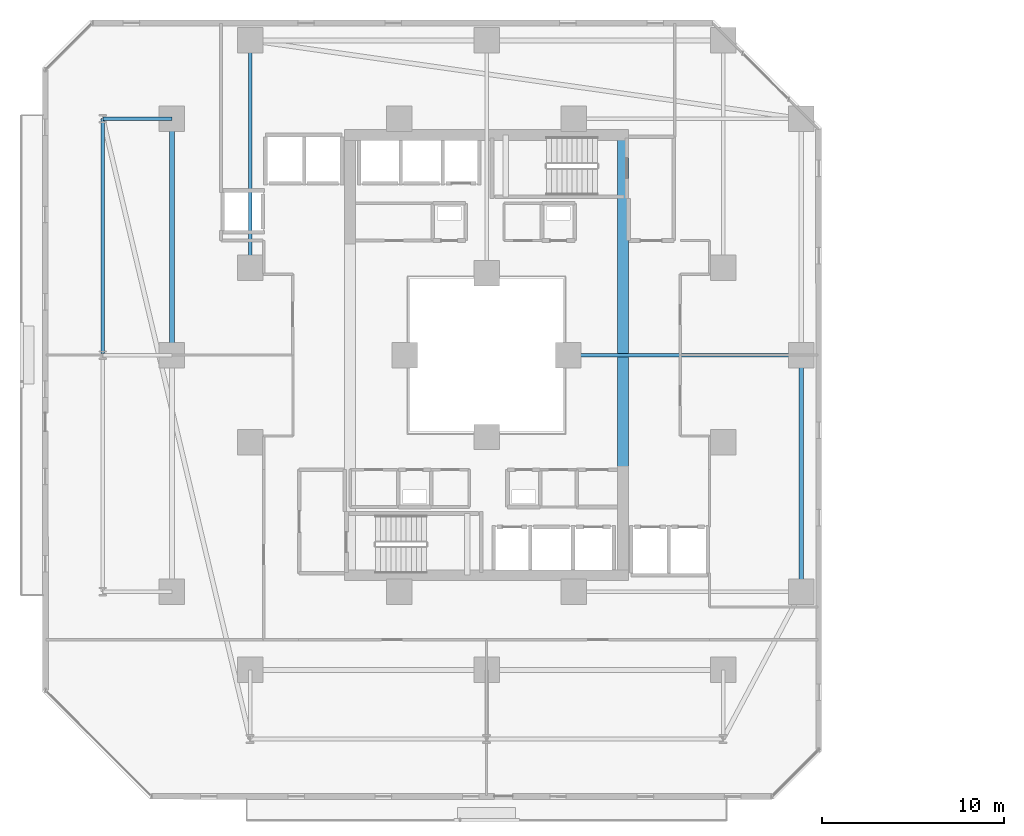
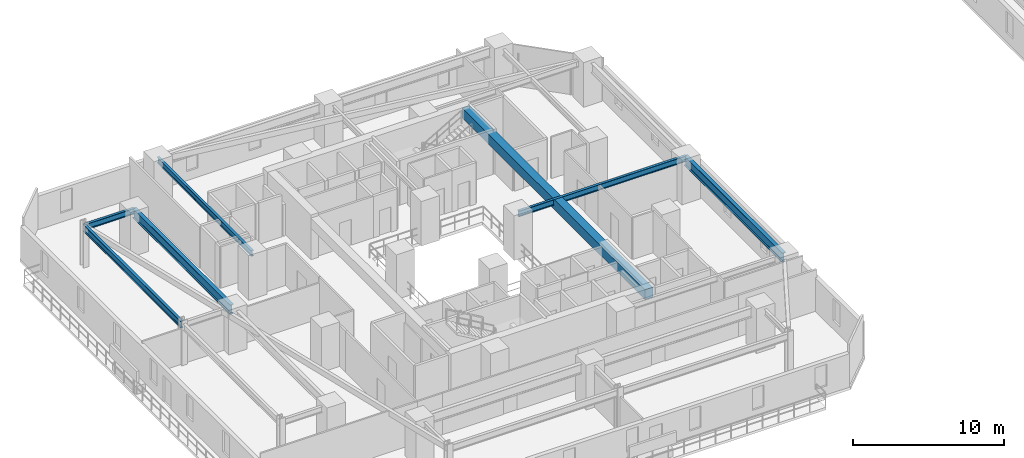
# One storey, part 6 of 33: 7 beams.
"""IFC4 building model written with IfcOpenShell, lengths in metres."""

from ifc_helpers import new_model, si_unit, direction, frame, origin, origin_2d, place, context, subcontext, project, spatial, rectangle, i_section, extrude, material, material_profile, profile_set, type_object, element, save


model = new_model("IFC4")

# Units and contexts
model_context = context("Model", 3, precision=1e-05, world=origin(), true_north=direction((0.0, 1.0)))
body_context = subcontext(model_context, "Body", "Model", "MODEL_VIEW")
ifc_project = project(units=[si_unit("LENGTHUNIT", "METRE"), si_unit("AREAUNIT", "SQUARE_METRE"), si_unit("VOLUMEUNIT", "CUBIC_METRE"), si_unit("PLANEANGLEUNIT", "RADIAN"), si_unit("MASSUNIT", "GRAM", prefix="KILO")], contexts=[model_context])

# Site, building, storey
site_placement = place(None, origin())
site = spatial("IfcSite", under=ifc_project, at=site_placement, CompositionType="ELEMENT")
building_placement = place(site_placement, origin())
building = spatial("IfcBuilding", under=site, at=building_placement, Name="Thornwick Lancets Civic Towers", CompositionType="ELEMENT")
storey_placement = place(building_placement, frame((0.0, 0.0, 31.5)))
storey = spatial("IfcBuildingStorey", under=building, at=storey_placement, Name="L07", CompositionType="ELEMENT", Elevation=31.5)

# Beams
ifc_material_1 = material(Name="Concrete C60/75", Category="concrete")
ifc_material_profile_1 = material_profile(ifc_material_1, rectangle(XDim=0.60009765625, YDim=0.800048828125, at=origin_2d()), Name="RC 600x800")
ifc_profile_set_1 = profile_set([ifc_material_profile_1], Name="Concrete C60/75")
beam_type_1 = type_object("IfcBeamType", Name="BM_COUP_RC800", PredefinedType="BEAM", material=ifc_profile_set_1)
beam_1_placement = place(storey_placement, frame((33.0, 14.89990234375, 2.9599609375), z_axis=(0.0, 1.0, 0.0), x_axis=(-1.0, 0.0, 0.0)))
element("IfcBeam", 1, at=beam_1_placement, inside=storey, type_object=beam_type_1, Name="CB-L07-A1", PredefinedType="BEAM", context=body_context, shape_type="SweptSolid", body=[
    extrude(rectangle(XDim=0.60009765625, YDim=0.800048828125, at=origin_2d()), origin(), (0.0, 0.0, 1.0), 24.2001953125),
])
ifc_material_2 = material(Name="Steel S355JR", Category="steel")
ifc_material_profile_2 = material_profile(ifc_material_2, i_section(OverallWidth=0.2119140625, OverallDepth=0.54443359375, WebThickness=0.0126953125, FlangeThickness=0.021240234375, FilletRadius=0.0126953125, at=origin_2d()), Name="UKB 533x210x122")
ifc_profile_set_2 = profile_set([ifc_material_profile_2], Name="Steel S355JR")
beam_type_2 = type_object("IfcBeamType", Name="BM_EDGE_533_122", PredefinedType="SPANDREL", material=ifc_profile_set_2)
beam_2_placement = place(storey_placement, frame((4.39990234375, 27.080078125, 3.087646484375), z_axis=(0.0, 1.0, 0.0), x_axis=(-1.0, 0.0, 0.0)))
element("IfcBeam", 2, at=beam_2_placement, inside=storey, type_object=beam_type_2, Name="BM-EDGE-L07-A-S3-2", PredefinedType="SPANDREL", context=body_context, shape_type="SweptSolid", body=[
    extrude(i_section(OverallWidth=0.2119140625, OverallDepth=0.54443359375, WebThickness=0.0126953125, FlangeThickness=0.021240234375, FilletRadius=0.0126953125, at=origin_2d()), origin(), (0.0, 0.0, 1.0), 12.919921875),
])
ifc_material_profile_3 = material_profile(ifc_material_2, i_section(OverallWidth=0.26806640625, OverallDepth=0.769775390625, WebThickness=0.015625, FlangeThickness=0.025390625, FilletRadius=0.0166015625, at=origin_2d()), Name="UKB 762x267x197")
ifc_profile_set_3 = profile_set([ifc_material_profile_3], Name="Steel S355JR")
beam_type_3 = type_object("IfcBeamType", Name="BM_GIRD_762_197", PredefinedType="BEAM", material=ifc_profile_set_3)
beam_3_placement = place(storey_placement, frame((42.800048828125, 14.0, 2.97509765625), z_axis=(0.0, 1.0, 0.0), x_axis=(-1.0, 0.0, 0.0)))
element("IfcBeam", 3, at=beam_3_placement, inside=storey, type_object=beam_type_3, Name="BM-SPINE-L07-A-3-4", PredefinedType="BEAM", context=body_context, shape_type="SweptSolid", body=[
    extrude(i_section(OverallWidth=0.26806640625, OverallDepth=0.769775390625, WebThickness=0.015625, FlangeThickness=0.025390625, FilletRadius=0.0166015625, at=origin_2d()), origin(), (0.0, 0.0, 1.0), 13.0),
])
beam_4_placement = place(storey_placement, frame((8.199951171875, 27.080078125, 2.97509765625), z_axis=(0.0, 1.0, 0.0), x_axis=(-1.0, 0.0, 0.0)))
element("IfcBeam", 4, at=beam_4_placement, inside=storey, type_object=beam_type_3, Name="BM-SPINE-L07-A-10-11", PredefinedType="BEAM", context=body_context, shape_type="SweptSolid", body=[
    extrude(i_section(OverallWidth=0.26806640625, OverallDepth=0.769775390625, WebThickness=0.015625, FlangeThickness=0.025390625, FilletRadius=0.0166015625, at=origin_2d()), origin(), (0.0, 0.0, 1.0), 12.919921875),
])
ifc_material_profile_4 = material_profile(ifc_material_2, i_section(OverallWidth=0.19287109375, OverallDepth=0.46728515625, WebThickness=0.011474609375, FlangeThickness=0.01953125, FilletRadius=0.01025390625, at=origin_2d()), Name="UKB 457x191x98")
ifc_profile_set_4 = profile_set([ifc_material_profile_4], Name="Steel S355JR")
beam_type_4 = type_object("IfcBeamType", Name="BM_JOIST_457_98", PredefinedType="JOIST", material=ifc_profile_set_4)
beam_5_placement = place(storey_placement, frame((30.0, 27.0, 3.12646484375), z_axis=(1.0, 0.0, 0.0), x_axis=(0.0, 1.0, 0.0)))
element("IfcBeam", 5, at=beam_5_placement, inside=storey, type_object=beam_type_4, Name="BM-RADIN-L07-A05", PredefinedType="JOIST", context=body_context, shape_type="SweptSolid", body=[
    extrude(i_section(OverallWidth=0.19287109375, OverallDepth=0.46728515625, WebThickness=0.011474609375, FlangeThickness=0.01953125, FilletRadius=0.01025390625, at=origin_2d()), origin(), (0.0, 0.0, 1.0), 12.800048828125),
])
beam_6_placement = place(storey_placement, frame((12.5, 31.800048828125, 3.12646484375), z_axis=(0.0, 1.0, 0.0), x_axis=(-1.0, 0.0, 0.0)))
element("IfcBeam", 6, at=beam_6_placement, inside=storey, type_object=beam_type_4, Name="BM-RADIN-L07-A07", PredefinedType="JOIST", context=body_context, shape_type="SweptSolid", body=[
    extrude(i_section(OverallWidth=0.19287109375, OverallDepth=0.46728515625, WebThickness=0.011474609375, FlangeThickness=0.01953125, FilletRadius=0.01025390625, at=origin_2d()), origin(), (0.0, 0.0, 1.0), 12.5),
])
beam_7_placement = place(storey_placement, frame((8.199951171875, 40.0, 3.12646484375), z_axis=(-1.0, 0.0, 0.0), x_axis=(0.0, -1.0, 0.0)))
element("IfcBeam", 7, at=beam_7_placement, inside=storey, type_object=beam_type_4, Name="BM-RAD-L07-A12", PredefinedType="JOIST", context=body_context, shape_type="SweptSolid", body=[
    extrude(i_section(OverallWidth=0.19287109375, OverallDepth=0.46728515625, WebThickness=0.011474609375, FlangeThickness=0.01953125, FilletRadius=0.01025390625, at=origin_2d()), origin(), (0.0, 0.0, 1.0), 3.800048828125),
])

save(model, "model.ifc")
